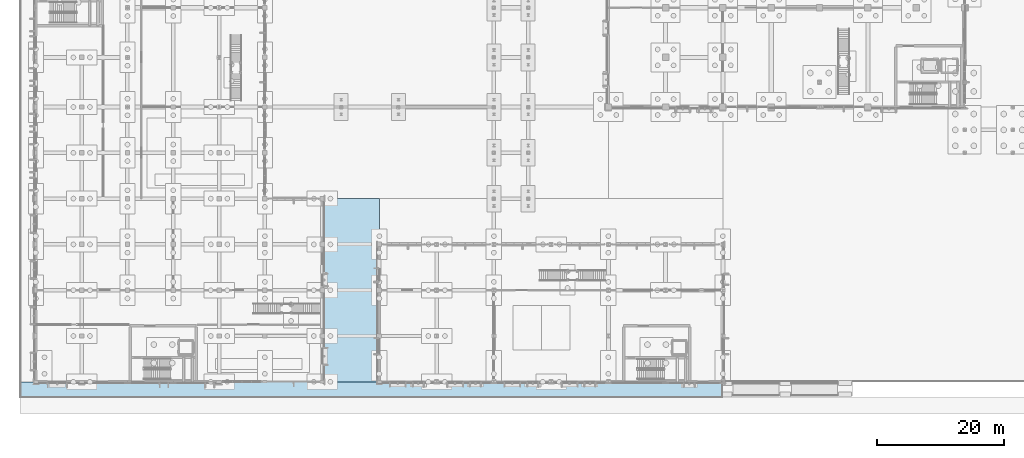
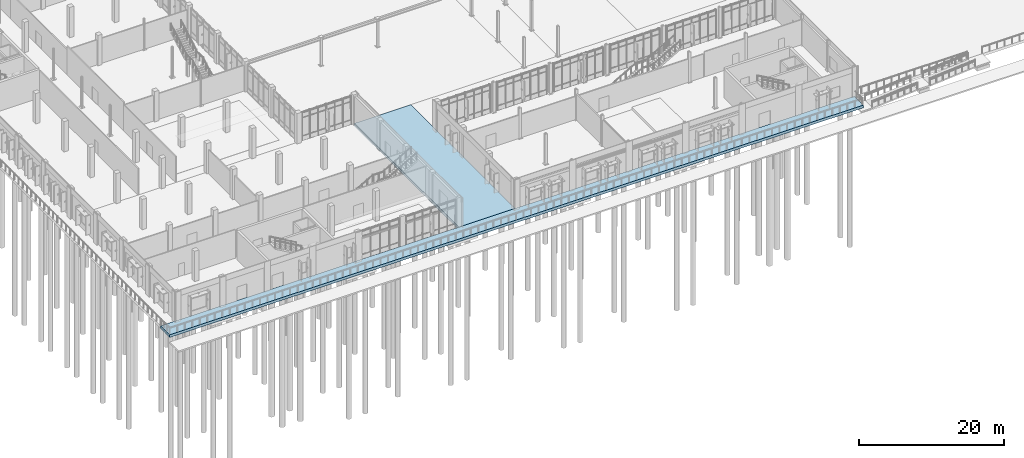
# One storey, part 49 of 94: 2 slabs.
"""IFC4 building model written with IfcOpenShell, lengths in metres."""

from ifc_helpers import new_model, si_unit, direction, frame, origin, place, context, subcontext, project, spatial, polyline, outline, extrude, material, layer, layer_set, type_object, element, save


model = new_model("IFC4")

# Units and contexts
model_context = context("Model", 3, precision=1e-05, world=origin(), true_north=direction((0.0, 1.0)))
body_context = subcontext(model_context, "Body", "Model", "MODEL_VIEW")
ifc_project = project(units=[si_unit("LENGTHUNIT", "METRE"), si_unit("AREAUNIT", "SQUARE_METRE"), si_unit("VOLUMEUNIT", "CUBIC_METRE"), si_unit("PLANEANGLEUNIT", "RADIAN"), si_unit("MASSUNIT", "GRAM", prefix="KILO")], contexts=[model_context])

# Site, building, storey
site_placement = place(None, origin())
site = spatial("IfcSite", under=ifc_project, at=site_placement, CompositionType="ELEMENT")
building_placement = place(site_placement, origin())
building = spatial("IfcBuilding", under=site, at=building_placement, Name="Vervanel Yard Central Library", CompositionType="ELEMENT")
storey_placement = place(building_placement, origin())
storey = spatial("IfcBuildingStorey", under=building, at=storey_placement, Name="L00", CompositionType="ELEMENT", Elevation=0.0)

# Slabs
ifc_material = material(Name="Concrete C40/50", Category="concrete")
ifc_layer = layer(ifc_material, 0.449951171875, Category="concrete")
ifc_layer_set = layer_set([ifc_layer], Name="Concrete C40/50")
slab_type = type_object("IfcSlabType", Name="Switchyard Plinth Deck Slab 450", PredefinedType="FLOOR", material=ifc_layer_set)
slab_1_placement = place(storey_placement, frame((0.0, 0.0, -0.449951171875)))
element("IfcSlab", 1, at=slab_1_placement, inside=storey, type_object=slab_type, Name="South Switchyard Entry Passage Terrace", PredefinedType="FLOOR", context=body_context, shape_type="SweptSolid", body=[
    extrude(outline(polyline([(45.0, 0.0), (54.0, 0.0), (54.0, 28.800048828125), (45.0, 28.800048828125), (45.0, 0.0)])), origin(), (0.0, 0.0, 1.0), 0.449951171875),
])
slab_2_placement = place(storey_placement, frame((0.0, 0.0, -0.449951171875)))
element("IfcSlab", 2, at=slab_2_placement, inside=storey, type_object=slab_type, Name="South Boulevard Plinth Promenade", PredefinedType="FLOOR", context=body_context, shape_type="SweptSolid", body=[
    extrude(outline(polyline([(-2.5, -2.5), (108.0, -2.5), (108.0, 0.0), (-2.5, 0.0), (-2.5, -2.5)])), origin(), (0.0, 0.0, 1.0), 0.449951171875),
])

save(model, "model.ifc")
